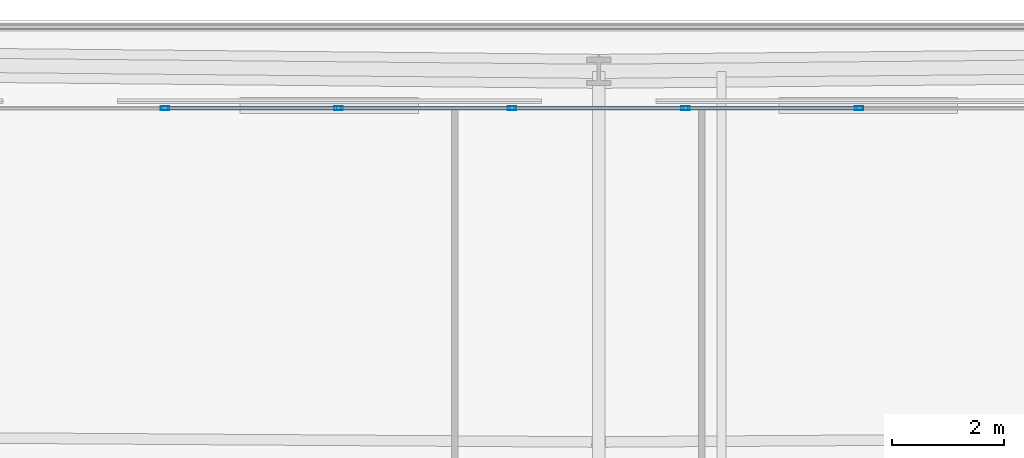
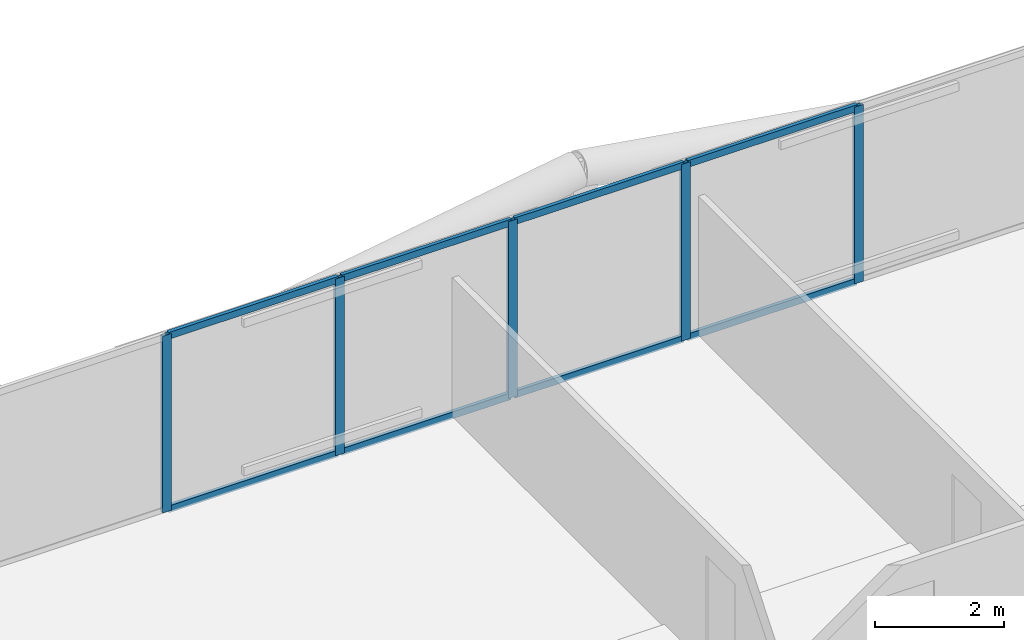
# One storey, part 21 of 34: 13 members, 1 element without a shape of its own.
"""IFC4 building model written with IfcOpenShell, lengths in metres."""

from ifc_helpers import new_model, si_unit, direction, frame, origin, origin_2d, place, context, subcontext, project, spatial, hollow_rectangle, extrude, material, layer, layer_set, material_profile, profile_set, type_object, element, aggregate, save


model = new_model("IFC4")

# Units and contexts
model_context = context("Model", 3, precision=1e-05, world=origin(), true_north=direction((0.0, 1.0)))
body_context = subcontext(model_context, "Body", "Model", "MODEL_VIEW")
ifc_project = project(units=[si_unit("LENGTHUNIT", "METRE"), si_unit("AREAUNIT", "SQUARE_METRE"), si_unit("VOLUMEUNIT", "CUBIC_METRE"), si_unit("PLANEANGLEUNIT", "RADIAN"), si_unit("MASSUNIT", "GRAM", prefix="KILO")], contexts=[model_context])

# Site, building, storey
site_placement = place(None, origin())
site = spatial("IfcSite", under=ifc_project, at=site_placement, CompositionType="ELEMENT")
building_placement = place(site_placement, origin())
building = spatial("IfcBuilding", under=site, at=building_placement, Name="Caelvoria Tower", CompositionType="ELEMENT")
storey_placement = place(building_placement, frame((0.0, 0.0, 28.0)))
storey = spatial("IfcBuildingStorey", under=building, at=storey_placement, Name="L06", CompositionType="ELEMENT", Elevation=28.0)

# Curtain wall, members
ifc_material_1 = material(Name="Anodised Bronze Aluminium and Low-E Glass", Category="aluminium")
ifc_layer = layer(ifc_material_1, 0.18505859375, Name="Anodised Bronze Aluminium and Low-E Glass")
ifc_layer_set = layer_set([ifc_layer], Name="CW System 2 Lower Tower Bronze Unitised Facade - Anodised Bronze Aluminium and Low-E Glass")
curtain_wall_type = type_object("IfcCurtainWallType", Name="CW System 2 Lower Tower Bronze Unitised Facade", PredefinedType="NOTDEFINED", material=ifc_layer_set)
curtain_wall_placement = place(storey_placement, origin())
curtain_wall = element("IfcCurtainWall", 1, at=curtain_wall_placement, inside=storey, type_object=curtain_wall_type, Name="CW-02 Curtain Wall L06-E4", PredefinedType="NOTDEFINED")
ifc_material_2 = material(Name="Anodised Bronze Architectural Aluminium", Category="aluminium")
ifc_material_profile_1 = material_profile(ifc_material_2, hollow_rectangle(XDim=0.06494140625, YDim=0.159912109375, WallThickness=0.00390625, at=origin_2d()), Name="Anodised Bronze Architectural Aluminium")
ifc_profile_set_1 = profile_set([ifc_material_profile_1], Name="CW_MULL_65X160 - Anodised Bronze Architectural Aluminium")
member_type_1 = type_object("IfcMemberType", Name="Curtain Wall Mullion 65x160 Bronze Aluminium", PredefinedType="MULLION", material=ifc_profile_set_1)
member_1_placement = place(storey_placement, frame((50.66162109375, 52.6201171875, 0.0), z_axis=(0.0, 0.0, 1.0), x_axis=(0.0, -1.0, 0.0)))
member_1 = element("IfcMember", 2, at=member_1_placement, type_object=member_type_1, Name="CW-02 mullion 6", PredefinedType="MULLION", context=body_context, shape_type="SweptSolid", body=[
    extrude(hollow_rectangle(XDim=0.06494140625, YDim=0.159912109375, WallThickness=0.00390625, at=origin_2d()), origin(), (0.0, 0.0, 1.0), 3.360107421875),
])
member_2_placement = place(storey_placement, frame((47.553955078125, 52.6201171875, 0.0), z_axis=(0.0, 0.0, 1.0), x_axis=(0.0, -1.0, 0.0)))
member_2 = element("IfcMember", 3, at=member_2_placement, type_object=member_type_1, Name="CW-02 mullion 7", PredefinedType="MULLION", context=body_context, shape_type="SweptSolid", body=[
    extrude(hollow_rectangle(XDim=0.06494140625, YDim=0.159912109375, WallThickness=0.00390625, at=origin_2d()), origin(), (0.0, 0.0, 1.0), 3.360107421875),
])
member_3_placement = place(storey_placement, frame((44.446044921875, 52.6201171875, 0.0), z_axis=(0.0, 0.0, 1.0), x_axis=(0.0, -1.0, 0.0)))
member_3 = element("IfcMember", 4, at=member_3_placement, type_object=member_type_1, Name="CW-02 mullion 8", PredefinedType="MULLION", context=body_context, shape_type="SweptSolid", body=[
    extrude(hollow_rectangle(XDim=0.06494140625, YDim=0.159912109375, WallThickness=0.00390625, at=origin_2d()), origin(), (0.0, 0.0, 1.0), 3.360107421875),
])
member_4_placement = place(storey_placement, frame((41.33837890625, 52.6201171875, 0.0), z_axis=(0.0, 0.0, 1.0), x_axis=(0.0, -1.0, 0.0)))
member_4 = element("IfcMember", 5, at=member_4_placement, type_object=member_type_1, Name="CW-02 mullion 9", PredefinedType="MULLION", context=body_context, shape_type="SweptSolid", body=[
    extrude(hollow_rectangle(XDim=0.06494140625, YDim=0.159912109375, WallThickness=0.00390625, at=origin_2d()), origin(), (0.0, 0.0, 1.0), 3.360107421875),
])
member_5_placement = place(storey_placement, frame((38.230712890625, 52.6201171875, 0.0), z_axis=(0.0, 0.0, 1.0), x_axis=(0.0, -1.0, 0.0)))
member_5 = element("IfcMember", 6, at=member_5_placement, type_object=member_type_1, Name="CW-02 mullion 10", PredefinedType="MULLION", context=body_context, shape_type="SweptSolid", body=[
    extrude(hollow_rectangle(XDim=0.06494140625, YDim=0.159912109375, WallThickness=0.00390625, at=origin_2d()), origin(), (0.0, 0.0, 1.0), 3.360107421875),
])
ifc_material_profile_2 = material_profile(ifc_material_2, hollow_rectangle(XDim=0.06494140625, YDim=0.1298828125, WallThickness=0.00341796875, at=origin_2d()), Name="Anodised Bronze Architectural Aluminium")
ifc_profile_set_2 = profile_set([ifc_material_profile_2], Name="CW_TRAN_65X130 - Anodised Bronze Architectural Aluminium")
member_type_2 = type_object("IfcMemberType", Name="Curtain Wall Transom 65x130 Bronze Aluminium", PredefinedType="USERDEFINED", material=ifc_profile_set_2)
member_6_placement = place(storey_placement, frame((50.629150390625, 52.6201171875, 0.032470703125), z_axis=(-1.0, 0.0, 0.0), x_axis=(0.0, -1.0, 0.0)))
member_6 = element("IfcMember", 7, at=member_6_placement, type_object=member_type_2, Name="CW-02 transom 6.1", ObjectType="TRANSOM", PredefinedType="USERDEFINED", context=body_context, shape_type="SweptSolid", body=[
    extrude(hollow_rectangle(XDim=0.06494140625, YDim=0.1298828125, WallThickness=0.00341796875, at=origin_2d()), origin(), (0.0, 0.0, 1.0), 3.042724609375),
])
member_7_placement = place(storey_placement, frame((50.629150390625, 52.6201171875, 3.327392578125), z_axis=(-1.0, 0.0, 0.0), x_axis=(0.0, -1.0, 0.0)))
member_7 = element("IfcMember", 8, at=member_7_placement, type_object=member_type_2, Name="CW-02 transom 6.2", ObjectType="TRANSOM", PredefinedType="USERDEFINED", context=body_context, shape_type="SweptSolid", body=[
    extrude(hollow_rectangle(XDim=0.06494140625, YDim=0.1298828125, WallThickness=0.00341796875, at=origin_2d()), origin(), (0.0, 0.0, 1.0), 3.042724609375),
])
member_8_placement = place(storey_placement, frame((47.521240234375, 52.6201171875, 0.032470703125), z_axis=(-1.0, 0.0, 0.0), x_axis=(0.0, -1.0, 0.0)))
member_8 = element("IfcMember", 9, at=member_8_placement, type_object=member_type_2, Name="CW-02 transom 7.1", ObjectType="TRANSOM", PredefinedType="USERDEFINED", context=body_context, shape_type="SweptSolid", body=[
    extrude(hollow_rectangle(XDim=0.06494140625, YDim=0.1298828125, WallThickness=0.00341796875, at=origin_2d()), origin(), (0.0, 0.0, 1.0), 3.04248046875),
])
member_9_placement = place(storey_placement, frame((47.521240234375, 52.6201171875, 3.327392578125), z_axis=(-1.0, 0.0, 0.0), x_axis=(0.0, -1.0, 0.0)))
member_9 = element("IfcMember", 10, at=member_9_placement, type_object=member_type_2, Name="CW-02 transom 7.2", ObjectType="TRANSOM", PredefinedType="USERDEFINED", context=body_context, shape_type="SweptSolid", body=[
    extrude(hollow_rectangle(XDim=0.06494140625, YDim=0.1298828125, WallThickness=0.00341796875, at=origin_2d()), origin(), (0.0, 0.0, 1.0), 3.04248046875),
])
member_10_placement = place(storey_placement, frame((44.41357421875, 52.6201171875, 0.032470703125), z_axis=(-1.0, 0.0, 0.0), x_axis=(0.0, -1.0, 0.0)))
member_10 = element("IfcMember", 11, at=member_10_placement, type_object=member_type_2, Name="CW-02 transom 8.1", ObjectType="TRANSOM", PredefinedType="USERDEFINED", context=body_context, shape_type="SweptSolid", body=[
    extrude(hollow_rectangle(XDim=0.06494140625, YDim=0.1298828125, WallThickness=0.00341796875, at=origin_2d()), origin(), (0.0, 0.0, 1.0), 3.042724609375),
])
member_11_placement = place(storey_placement, frame((44.41357421875, 52.6201171875, 3.327392578125), z_axis=(-1.0, 0.0, 0.0), x_axis=(0.0, -1.0, 0.0)))
member_11 = element("IfcMember", 12, at=member_11_placement, type_object=member_type_2, Name="CW-02 transom 8.2", ObjectType="TRANSOM", PredefinedType="USERDEFINED", context=body_context, shape_type="SweptSolid", body=[
    extrude(hollow_rectangle(XDim=0.06494140625, YDim=0.1298828125, WallThickness=0.00341796875, at=origin_2d()), origin(), (0.0, 0.0, 1.0), 3.042724609375),
])
member_12_placement = place(storey_placement, frame((41.305908203125, 52.6201171875, 0.032470703125), z_axis=(-1.0, 0.0, 0.0), x_axis=(0.0, -1.0, 0.0)))
member_12 = element("IfcMember", 13, at=member_12_placement, type_object=member_type_2, Name="CW-02 transom 9.1", ObjectType="TRANSOM", PredefinedType="USERDEFINED", context=body_context, shape_type="SweptSolid", body=[
    extrude(hollow_rectangle(XDim=0.06494140625, YDim=0.1298828125, WallThickness=0.00341796875, at=origin_2d()), origin(), (0.0, 0.0, 1.0), 3.042724609375),
])
member_13_placement = place(storey_placement, frame((41.305908203125, 52.6201171875, 3.327392578125), z_axis=(-1.0, 0.0, 0.0), x_axis=(0.0, -1.0, 0.0)))
member_13 = element("IfcMember", 14, at=member_13_placement, type_object=member_type_2, Name="CW-02 transom 9.2", ObjectType="TRANSOM", PredefinedType="USERDEFINED", context=body_context, shape_type="SweptSolid", body=[
    extrude(hollow_rectangle(XDim=0.06494140625, YDim=0.1298828125, WallThickness=0.00341796875, at=origin_2d()), origin(), (0.0, 0.0, 1.0), 3.042724609375),
])
aggregate(curtain_wall, [member_1, member_2, member_3, member_4, member_5, member_6, member_7, member_8, member_9, member_10, member_11, member_12, member_13])

save(model, "model.ifc")
